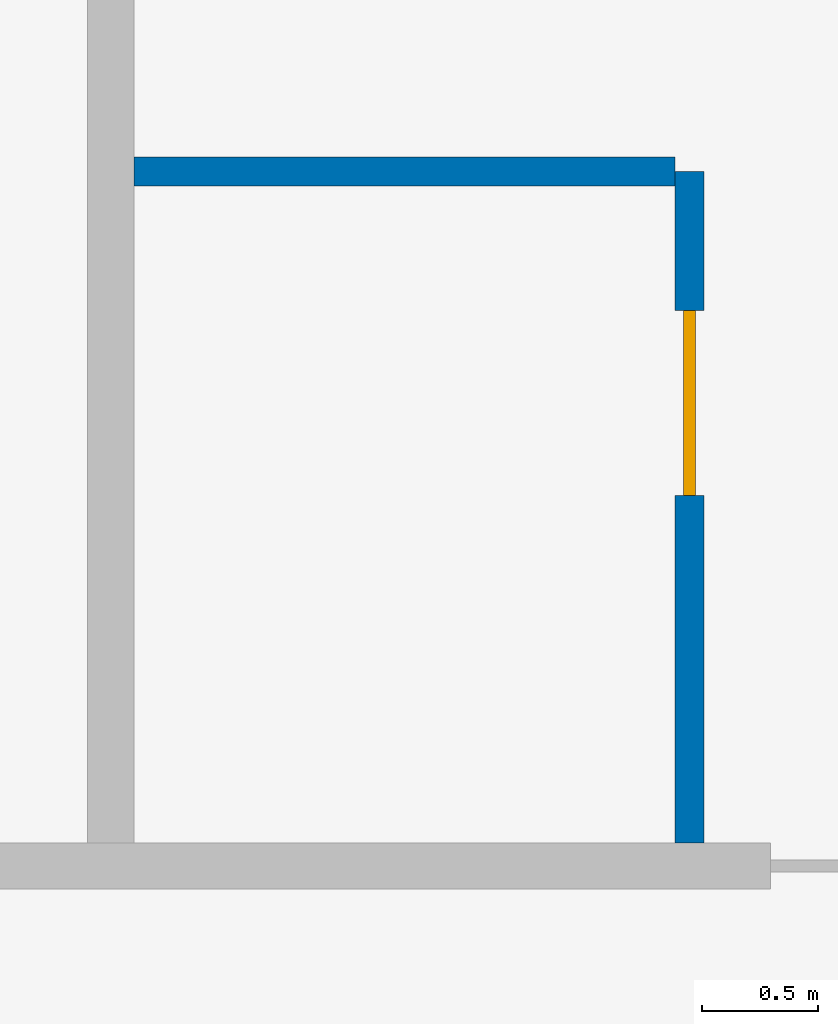
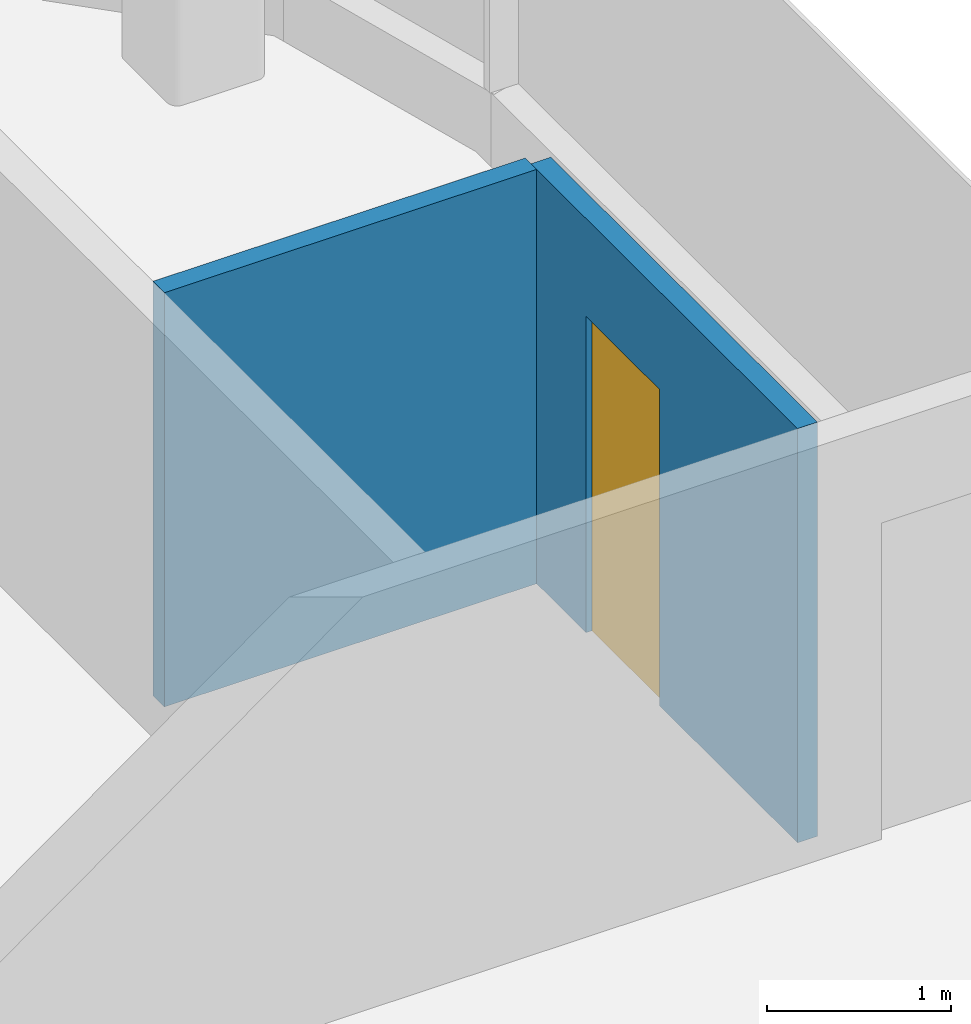
# One storey, part 17 of 26: 2 walls, 1 door, 1 opening.
"""IFC4 building model written with IfcOpenShell, lengths in metres."""

from ifc_helpers import new_model, si_unit, direction, frame, frame_2d, origin, place, context, subcontext, project, spatial, rectangle, extrude, material, layer, layer_set, type_object, element, fill, save


model = new_model("IFC4")

# Units and contexts
model_context = context("Model", 3, precision=1e-05, world=origin(), true_north=direction((0.0, 1.0)))
body_context = subcontext(model_context, "Body", "Model", "MODEL_VIEW")
ifc_project = project(units=[si_unit("LENGTHUNIT", "METRE"), si_unit("AREAUNIT", "SQUARE_METRE"), si_unit("VOLUMEUNIT", "CUBIC_METRE"), si_unit("PLANEANGLEUNIT", "RADIAN"), si_unit("MASSUNIT", "GRAM", prefix="KILO")], contexts=[model_context])

# Site, building, storey
site_placement = place(None, origin())
site = spatial("IfcSite", under=ifc_project, at=site_placement, CompositionType="ELEMENT")
building_placement = place(site_placement, origin())
building = spatial("IfcBuilding", under=site, at=building_placement, Name="Hakoniwa Tower and Hamabe Station Hall", CompositionType="ELEMENT")
storey_placement = place(building_placement, frame((0.0, 0.0, 196.199951171875)))
storey = spatial("IfcBuildingStorey", under=building, at=storey_placement, Name="L55", CompositionType="ELEMENT", Elevation=196.199951171875)

# Wall
ifc_material_1 = material(Name="Gypsum board partition", Category="gypsum")
ifc_layer = layer(ifc_material_1, 0.125)
ifc_layer_set = layer_set([ifc_layer], Name="Bathroom Partition 125")
wall_type = type_object("IfcWallType", Name="Bathroom Partition 125", PredefinedType="PARTITIONING", material=ifc_layer_set)
wall_1_placement = place(storey_placement, frame((33.699951171875, 13.60009765625, 0.0), z_axis=(0.0, 0.0, 1.0), x_axis=(1.0, 0.0, 0.0)))
element("IfcWall", 1, at=wall_1_placement, inside=storey, type_object=wall_type, Name="GW-L55-018", PredefinedType="PARTITIONING", context=body_context, shape_type="SweptSolid", body=[
    extrude(rectangle(XDim=2.337646484375, YDim=0.125, at=frame_2d((1.1689453125, 0.0))), origin(), (0.0, 0.0, 1.0), 2.75),
])

# Wall, opening, door
wall_2_placement = place(storey_placement, frame((36.10009765625, 10.699951171875, 0.0), z_axis=(0.0, 0.0, 1.0), x_axis=(0.0, 1.0, 0.0)))
wall_2 = element("IfcWall", 2, at=wall_2_placement, inside=storey, type_object=wall_type, Name="GW-L55-056", PredefinedType="PARTITIONING", context=body_context, shape_type="SweptSolid", body=[
    extrude(rectangle(XDim=2.900146484375, YDim=0.125, at=frame_2d((1.4501953125, 0.0))), origin(), (0.0, 0.0, 1.0), 2.75),
])
opening_placement = place(wall_2_placement, frame((1.5, 0.0, 0.0)))
opening = element("IfcOpeningElement", 3, at=opening_placement, cuts=wall_2, Name="Opening GD-G4D0-40", PredefinedType="OPENING", context=body_context, shape_type="SweptSolid", body=[
    extrude(rectangle(XDim=0.800048828125, YDim=2.10009765625, at=frame_2d((0.39990234375, 1.050048828125))), frame((0.0, 0.072509765625, 0.0), z_axis=(0.0, -1.0, 0.0), x_axis=(1.0, 0.0, 0.0)), (0.0, 0.0, 1.0), 0.14501953125),
])
ifc_material_2 = material(Name="Timber door leaf", Category="wood")
door_type = type_object("IfcDoorType", Name="Bathroom Door 800", OperationType="SINGLE_SWING_LEFT", PredefinedType="DOOR", material=ifc_material_2)
door_placement = place(opening_placement, origin())
door = element("IfcDoor", 4, at=door_placement, inside=storey, type_object=door_type, Name="Door GD-G4D0-40", OperationType="SINGLE_SWING_LEFT", OverallHeight=2.10009765625, OverallWidth=0.800048828125, PredefinedType="DOOR", context=body_context, shape_type="SweptSolid", body=[
    extrude(rectangle(XDim=0.800048828125, YDim=2.10009765625, at=frame_2d((0.39990234375, 1.050048828125))), frame((0.0, 0.02490234375, 0.0), z_axis=(0.0, -1.0, 0.0), x_axis=(1.0, 0.0, 0.0)), (0.0, 0.0, 1.0), 0.050048828125),
])
fill(opening, door)

save(model, "model.ifc")
